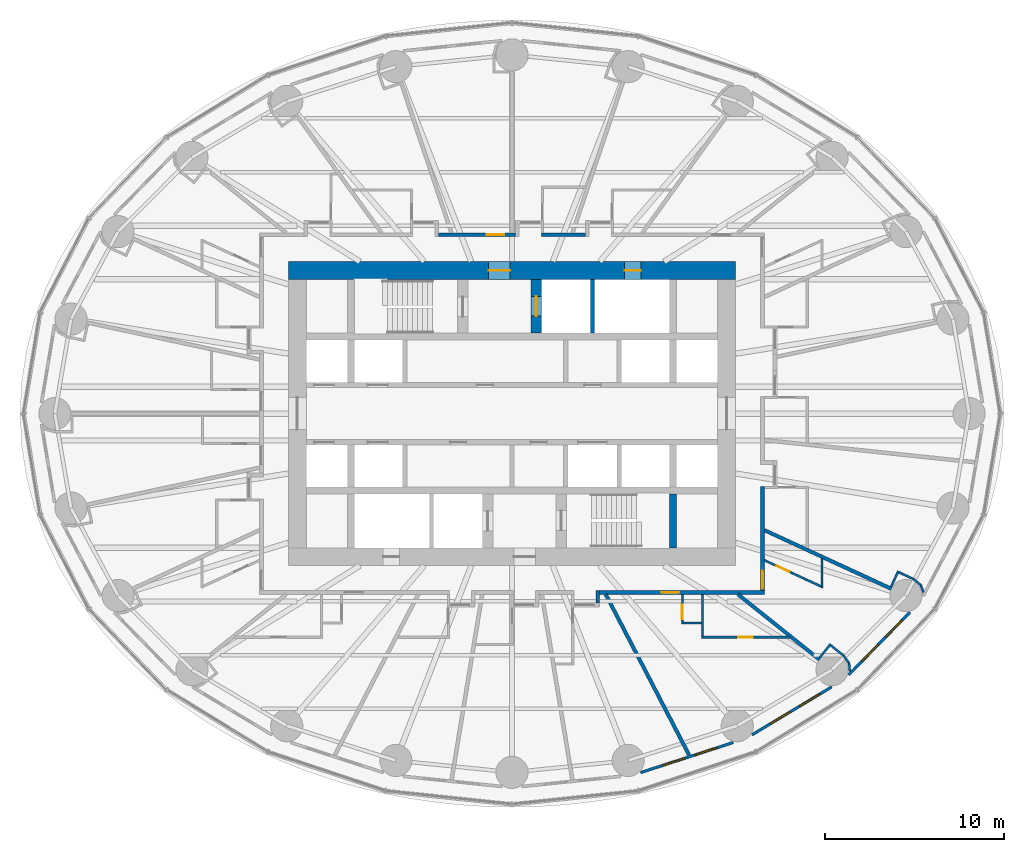
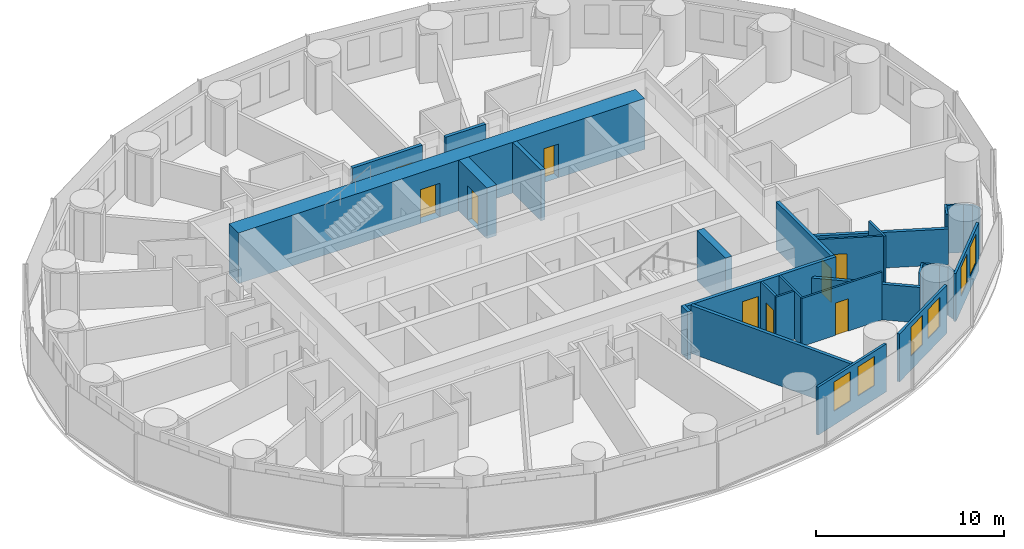
# One storey, part 9 of 14: 29 walls, 9 doors, 6 windows, 15 openings.
"""IFC4 building model written with IfcOpenShell, lengths in metres."""

from ifc_helpers import new_model, si_unit, direction, frame, frame_2d, origin, place, context, subcontext, project, spatial, rectangle, extrude, material, layer, layer_set, type_object, element, fill, save


model = new_model("IFC4")

# Units and contexts
model_context = context("Model", 3, precision=1e-05, world=origin(), true_north=direction((0.0, 1.0)))
body_context = subcontext(model_context, "Body", "Model", "MODEL_VIEW")
ifc_project = project(units=[si_unit("LENGTHUNIT", "METRE"), si_unit("AREAUNIT", "SQUARE_METRE"), si_unit("VOLUMEUNIT", "CUBIC_METRE"), si_unit("PLANEANGLEUNIT", "RADIAN"), si_unit("MASSUNIT", "GRAM", prefix="KILO")], contexts=[model_context])

# Site, building, storey
site_placement = place(None, origin())
site = spatial("IfcSite", under=ifc_project, at=site_placement, CompositionType="ELEMENT")
building_placement = place(site_placement, origin())
building = spatial("IfcBuilding", under=site, at=building_placement, Name="Hankou Lantern Tower", CompositionType="ELEMENT")
storey_placement = place(building_placement, frame((0.0, 0.0, 36.0)))
storey = spatial("IfcBuildingStorey", under=building, at=storey_placement, Name="L07", CompositionType="ELEMENT", Elevation=36.0)

# Wall, openings, doors
ifc_material_1 = material(Name="Concrete C60", Category="concrete")
ifc_layer_1 = layer(ifc_material_1, 1.0)
ifc_layer_set_1 = layer_set([ifc_layer_1], Name="Concrete C60")
wall_type_1 = type_object("IfcWallType", Name="CW1 CORE WALL 1000", PredefinedType="SHEAR", material=ifc_layer_set_1)
wall_1_placement = place(storey_placement, frame((-12.5, 8.0, 0.0), z_axis=(0.0, 0.0, 1.0), x_axis=(1.0, 0.0, 0.0)))
wall_1 = element("IfcWall", 1, at=wall_1_placement, inside=storey, type_object=wall_type_1, Name="Core wall north L07", PredefinedType="SHEAR", context=body_context, shape_type="SweptSolid", body=[
    extrude(rectangle(XDim=25.0, YDim=1.0, at=frame_2d((12.5, 0.0))), origin(), (0.0, 0.0, 1.0), 3.300048828125),
])
opening_1_placement = place(wall_1_placement, frame((11.199951171875, 0.0, 0.0)))
opening_1 = element("IfcOpeningElement", 2, at=opening_1_placement, cuts=wall_1, Name="Opening D5", PredefinedType="OPENING", context=body_context, shape_type="SweptSolid", body=[
    extrude(rectangle(XDim=1.199951171875, YDim=2.199951171875, at=frame_2d((0.60009765625, 1.10009765625))), frame((0.0, 0.510009765625, 0.0), z_axis=(0.0, -1.0, 0.0), x_axis=(1.0, 0.0, 0.0)), (0.0, 0.0, 1.0), 1.02001953125),
])
opening_2_placement = place(wall_1_placement, frame((18.800048828125, 0.0, 0.0)))
opening_2 = element("IfcOpeningElement", 3, at=opening_2_placement, cuts=wall_1, Name="Opening D7", PredefinedType="OPENING", context=body_context, shape_type="SweptSolid", body=[
    extrude(rectangle(XDim=0.89990234375, YDim=2.199951171875, at=frame_2d((0.449951171875, 1.10009765625))), frame((0.0, 0.510009765625, 0.0), z_axis=(0.0, -1.0, 0.0), x_axis=(1.0, 0.0, 0.0)), (0.0, 0.0, 1.0), 1.02001953125),
])
ifc_material_2 = material(Name="Steel door leaf", Category="steel")
door_type_1 = type_object("IfcDoorType", Name="D5 STAIR LOBBY DOOR 1200X2200", OperationType="SINGLE_SWING_LEFT", PredefinedType="DOOR", material=ifc_material_2)
door_1_placement = place(opening_1_placement, origin())
door_1 = element("IfcDoor", 4, at=door_1_placement, inside=storey, type_object=door_type_1, Name="Stair A lobby door", OperationType="SINGLE_SWING_LEFT", OverallHeight=2.199951171875, OverallWidth=1.199951171875, PredefinedType="DOOR", context=body_context, shape_type="SweptSolid", body=[
    extrude(rectangle(XDim=1.199951171875, YDim=2.199951171875, at=frame_2d((0.60009765625, 1.10009765625))), frame((0.0, 0.02490234375, 0.0), z_axis=(0.0, -1.0, 0.0), x_axis=(1.0, 0.0, 0.0)), (0.0, 0.0, 1.0), 0.050048828125),
])
fill(opening_1, door_1)
ifc_material_3 = material(Name="Steel door leaf", Category="steel")
door_type_2 = type_object("IfcDoorType", Name="D7 RISER DOOR 900X2200", OperationType="SINGLE_SWING_LEFT", PredefinedType="DOOR", material=ifc_material_3)
door_2_placement = place(opening_2_placement, origin())
door_2 = element("IfcDoor", 5, at=door_2_placement, inside=storey, type_object=door_type_2, Name="Riser N1 door", OperationType="SINGLE_SWING_RIGHT", OverallHeight=2.199951171875, OverallWidth=0.89990234375, PredefinedType="DOOR", context=body_context, shape_type="SweptSolid", body=[
    extrude(rectangle(XDim=0.89990234375, YDim=2.199951171875, at=frame_2d((0.449951171875, 1.10009765625))), frame((0.0, 0.02490234375, 0.0), z_axis=(0.0, -1.0, 0.0), x_axis=(1.0, 0.0, 0.0)), (0.0, 0.0, 1.0), 0.050048828125),
])
fill(opening_2, door_2)

# Wall
ifc_material_4 = material(Name="Concrete C60", Category="concrete")
ifc_layer_2 = layer(ifc_material_4, 0.39990234375)
ifc_layer_set_2 = layer_set([ifc_layer_2], Name="Concrete C60")
wall_type_2 = type_object("IfcWallType", Name="CW4 CORE CROSS WALL 400", PredefinedType="SHEAR", material=ifc_layer_set_2)
wall_2_placement = place(storey_placement, frame((9.0, -7.5, 0.0), z_axis=(0.0, 0.0, 1.0), x_axis=(0.0, 1.0, 0.0)))
element("IfcWall", 6, at=wall_2_placement, inside=storey, type_object=wall_type_2, Name="Core strip wall L07", PredefinedType="SHEAR", context=body_context, shape_type="SweptSolid", body=[
    extrude(rectangle(XDim=3.0, YDim=0.39990234375, at=frame_2d((1.5, 0.0))), origin(), (0.0, 0.0, 1.0), 3.300048828125),
])

# Wall, opening, door
ifc_material_5 = material(Name="Concrete C60", Category="concrete")
ifc_layer_3 = layer(ifc_material_5, 0.60009765625)
ifc_layer_set_3 = layer_set([ifc_layer_3], Name="Concrete C60")
wall_type_3 = type_object("IfcWallType", Name="CW6 STAIR AND SHAFT WALL 600", PredefinedType="SHEAR", material=ifc_layer_set_3)
wall_3_placement = place(storey_placement, frame((1.35009765625, 4.5, 0.0), z_axis=(0.0, 0.0, 1.0), x_axis=(0.0, 1.0, 0.0)))
wall_3 = element("IfcWall", 7, at=wall_3_placement, inside=storey, type_object=wall_type_3, Name="Firefighting lift shaft wall L07", PredefinedType="SHEAR", context=body_context, shape_type="SweptSolid", body=[
    extrude(rectangle(XDim=3.0, YDim=0.60009765625, at=frame_2d((1.5, 0.0))), origin(), (0.0, 0.0, 1.0), 3.300048828125),
])
opening_3_placement = place(wall_3_placement, frame((0.949951171875, 0.0, 0.0)))
opening_3 = element("IfcOpeningElement", 8, at=opening_3_placement, cuts=wall_3, Name="Opening LD2", PredefinedType="OPENING", context=body_context, shape_type="SweptSolid", body=[
    extrude(rectangle(XDim=1.10009765625, YDim=2.199951171875, at=frame_2d((0.550048828125, 1.10009765625))), frame((0.0, 0.31005859375, 0.0), z_axis=(0.0, -1.0, 0.0), x_axis=(1.0, 0.0, 0.0)), (0.0, 0.0, 1.0), 0.6201171875),
])
ifc_material_6 = material(Name="Steel door leaf", Category="steel")
door_type_3 = type_object("IfcDoorType", Name="LD2 FIREFIGHTING LIFT LANDING DOOR 1100X2200", OperationType="DOUBLE_DOOR_SLIDING", PredefinedType="DOOR", material=ifc_material_6)
door_3_placement = place(opening_3_placement, origin())
door_3 = element("IfcDoor", 9, at=door_3_placement, inside=storey, type_object=door_type_3, Name="Firefighting lift FL1 landing door", OperationType="DOUBLE_DOOR_SLIDING", OverallHeight=2.199951171875, OverallWidth=1.10009765625, PredefinedType="DOOR", context=body_context, shape_type="SweptSolid", body=[
    extrude(rectangle(XDim=1.10009765625, YDim=2.199951171875, at=frame_2d((0.550048828125, 1.10009765625))), frame((0.0, 0.02490234375, 0.0), z_axis=(0.0, -1.0, 0.0), x_axis=(1.0, 0.0, 0.0)), (0.0, 0.0, 1.0), 0.050048828125),
])
fill(opening_3, door_3)

# Wall, openings, windows
ifc_material_7 = material(Name="Aluminium spandrel panel on steel studs", Category="steel")
ifc_layer_4 = layer(ifc_material_7, 0.14990234375)
ifc_layer_set_4 = layer_set([ifc_layer_4], Name="Aluminium spandrel panel on steel studs")
wall_type_4 = type_object("IfcWallType", Name="EW1 INNER SKIN WALL 150", PredefinedType="ELEMENTEDWALL", material=ifc_layer_set_4)
wall_4_placement = place(storey_placement, frame((7.188232421875, -20.06494140625, 0.0), z_axis=(0.0, 0.0, 1.0), x_axis=(0.951138486029, 0.308764603532, 0.0)))
wall_4 = element("IfcWall", 10, at=wall_4_placement, inside=storey, type_object=wall_type_4, Name="Inner skin R20-R21 L07", PredefinedType="ELEMENTEDWALL", context=body_context, shape_type="SweptSolid", body=[
    extrude(rectangle(XDim=5.444091796875, YDim=0.14990234375, at=frame_2d((2.72216796875, 0.0))), origin(), (0.0, 0.0, 1.0), 3.1201171875),
])
opening_4_placement = place(wall_4_placement, frame((1.2841796875, 0.0, 0.89990234375)))
opening_4 = element("IfcOpeningElement", 11, at=opening_4_placement, cuts=wall_4, Name="Opening W9", PredefinedType="OPENING", context=body_context, shape_type="SweptSolid", body=[
    extrude(rectangle(XDim=1.300048828125, YDim=1.89990234375, at=frame_2d((0.64990234375, 0.949951171875))), frame((0.0, 0.0849609375, 0.0), z_axis=(0.0, -1.0, 0.0), x_axis=(1.0, 0.0, 0.0)), (0.0, 0.0, 1.0), 0.169921875),
])
opening_5_placement = place(wall_4_placement, frame((3.18408203125, 0.0, 0.89990234375)))
opening_5 = element("IfcOpeningElement", 12, at=opening_5_placement, cuts=wall_4, Name="Opening W9", PredefinedType="OPENING", context=body_context, shape_type="SweptSolid", body=[
    extrude(rectangle(XDim=1.300048828125, YDim=1.89990234375, at=frame_2d((0.64990234375, 0.949951171875))), frame((0.0, 0.0849609375, 0.0), z_axis=(0.0, -1.0, 0.0), x_axis=(1.0, 0.0, 0.0)), (0.0, 0.0, 1.0), 0.169921875),
])
ifc_material_8 = material(Name="Aluminium framed double glazed window", Category="aluminium")
window_type = type_object("IfcWindowType", Name="W9 GUEST ROOM WINDOW 1300X1900", PartitioningType="DOUBLE_PANEL_VERTICAL", PredefinedType="WINDOW", material=ifc_material_8)
window_1_placement = place(opening_4_placement, origin())
window_1 = element("IfcWindow", 13, at=window_1_placement, inside=storey, type_object=window_type, Name="Window R20.1 L07", OverallHeight=1.89990234375, OverallWidth=1.300048828125, PartitioningType="SINGLE_PANEL", PredefinedType="WINDOW", context=body_context, shape_type="SweptSolid", body=[
    extrude(rectangle(XDim=1.300048828125, YDim=1.89990234375, at=frame_2d((0.64990234375, 0.949951171875))), frame((0.0, 0.030029296875, 0.0), z_axis=(0.0, -1.0, 0.0), x_axis=(1.0, 0.0, 0.0)), (0.0, 0.0, 1.0), 0.06005859375),
])
fill(opening_4, window_1)
window_2_placement = place(opening_5_placement, origin())
window_2 = element("IfcWindow", 14, at=window_2_placement, inside=storey, type_object=window_type, Name="Window R20.2 L07", OverallHeight=1.89990234375, OverallWidth=1.300048828125, PartitioningType="SINGLE_PANEL", PredefinedType="WINDOW", context=body_context, shape_type="SweptSolid", body=[
    extrude(rectangle(XDim=1.300048828125, YDim=1.89990234375, at=frame_2d((0.64990234375, 0.949951171875))), frame((0.0, 0.030029296875, 0.0), z_axis=(0.0, -1.0, 0.0), x_axis=(1.0, 0.0, 0.0)), (0.0, 0.0, 1.0), 0.06005859375),
])
fill(opening_5, window_2)

wall_5_placement = place(storey_placement, frame((13.412109375, -17.957275390625, 0.0), z_axis=(0.0, 0.0, 1.0), x_axis=(0.856958191554, 0.515385931054, 0.0)))
wall_5 = element("IfcWall", 15, at=wall_5_placement, inside=storey, type_object=wall_type_4, Name="Inner skin R21-R22 L07", PredefinedType="ELEMENTEDWALL", context=body_context, shape_type="SweptSolid", body=[
    extrude(rectangle(XDim=5.201171875, YDim=0.14990234375, at=frame_2d((2.6005859375, 0.0))), origin(), (0.0, 0.0, 1.0), 3.1201171875),
])
opening_6_placement = place(wall_5_placement, frame((1.22509765625, 0.0, 0.89990234375)))
opening_6 = element("IfcOpeningElement", 16, at=opening_6_placement, cuts=wall_5, Name="Opening W9", PredefinedType="OPENING", context=body_context, shape_type="SweptSolid", body=[
    extrude(rectangle(XDim=1.300048828125, YDim=1.89990234375, at=frame_2d((0.64990234375, 0.949951171875))), frame((0.0, 0.0849609375, 0.0), z_axis=(0.0, -1.0, 0.0), x_axis=(1.0, 0.0, 0.0)), (0.0, 0.0, 1.0), 0.169921875),
])
opening_7_placement = place(wall_5_placement, frame((3.125, 0.0, 0.89990234375)))
opening_7 = element("IfcOpeningElement", 17, at=opening_7_placement, cuts=wall_5, Name="Opening W9", PredefinedType="OPENING", context=body_context, shape_type="SweptSolid", body=[
    extrude(rectangle(XDim=1.300048828125, YDim=1.89990234375, at=frame_2d((0.64990234375, 0.949951171875))), frame((0.0, 0.0849609375, 0.0), z_axis=(0.0, -1.0, 0.0), x_axis=(1.0, 0.0, 0.0)), (0.0, 0.0, 1.0), 0.169921875),
])
window_3_placement = place(opening_6_placement, origin())
window_3 = element("IfcWindow", 18, at=window_3_placement, inside=storey, type_object=window_type, Name="Window R21.1 L07", OverallHeight=1.89990234375, OverallWidth=1.300048828125, PartitioningType="SINGLE_PANEL", PredefinedType="WINDOW", context=body_context, shape_type="SweptSolid", body=[
    extrude(rectangle(XDim=1.300048828125, YDim=1.89990234375, at=frame_2d((0.64990234375, 0.949951171875))), frame((0.0, 0.030029296875, 0.0), z_axis=(0.0, -1.0, 0.0), x_axis=(1.0, 0.0, 0.0)), (0.0, 0.0, 1.0), 0.06005859375),
])
fill(opening_6, window_3)
window_4_placement = place(opening_7_placement, origin())
window_4 = element("IfcWindow", 19, at=window_4_placement, inside=storey, type_object=window_type, Name="Window R21.2 L07", OverallHeight=1.89990234375, OverallWidth=1.300048828125, PartitioningType="SINGLE_PANEL", PredefinedType="WINDOW", context=body_context, shape_type="SweptSolid", body=[
    extrude(rectangle(XDim=1.300048828125, YDim=1.89990234375, at=frame_2d((0.64990234375, 0.949951171875))), frame((0.0, 0.030029296875, 0.0), z_axis=(0.0, -1.0, 0.0), x_axis=(1.0, 0.0, 0.0)), (0.0, 0.0, 1.0), 0.06005859375),
])
fill(opening_7, window_4)

wall_6_placement = place(storey_placement, frame((18.8134765625, -14.606689453125, 0.0), z_axis=(0.0, 0.0, 1.0), x_axis=(0.699612594083, 0.714522370679, 0.0)))
wall_6 = element("IfcWall", 20, at=wall_6_placement, inside=storey, type_object=wall_type_4, Name="Inner skin R22-R23 L07", PredefinedType="ELEMENTEDWALL", context=body_context, shape_type="SweptSolid", body=[
    extrude(rectangle(XDim=4.89599609375, YDim=0.14990234375, at=frame_2d((2.447998046875, 0.0))), origin(), (0.0, 0.0, 1.0), 3.1201171875),
])
opening_8_placement = place(wall_6_placement, frame((1.076904296875, 0.0, 0.89990234375)))
opening_8 = element("IfcOpeningElement", 21, at=opening_8_placement, cuts=wall_6, Name="Opening W9", PredefinedType="OPENING", context=body_context, shape_type="SweptSolid", body=[
    extrude(rectangle(XDim=1.300048828125, YDim=1.89990234375, at=frame_2d((0.64990234375, 0.949951171875))), frame((0.0, 0.0849609375, 0.0), z_axis=(0.0, -1.0, 0.0), x_axis=(1.0, 0.0, 0.0)), (0.0, 0.0, 1.0), 0.169921875),
])
opening_9_placement = place(wall_6_placement, frame((2.976806640625, 0.0, 0.89990234375)))
opening_9 = element("IfcOpeningElement", 22, at=opening_9_placement, cuts=wall_6, Name="Opening W9", PredefinedType="OPENING", context=body_context, shape_type="SweptSolid", body=[
    extrude(rectangle(XDim=1.300048828125, YDim=1.89990234375, at=frame_2d((0.64990234375, 0.949951171875))), frame((0.0, 0.0849609375, 0.0), z_axis=(0.0, -1.0, 0.0), x_axis=(1.0, 0.0, 0.0)), (0.0, 0.0, 1.0), 0.169921875),
])
window_5_placement = place(opening_8_placement, origin())
window_5 = element("IfcWindow", 23, at=window_5_placement, inside=storey, type_object=window_type, Name="Window R22.1 L07", OverallHeight=1.89990234375, OverallWidth=1.300048828125, PartitioningType="SINGLE_PANEL", PredefinedType="WINDOW", context=body_context, shape_type="SweptSolid", body=[
    extrude(rectangle(XDim=1.300048828125, YDim=1.89990234375, at=frame_2d((0.64990234375, 0.949951171875))), frame((0.0, 0.030029296875, 0.0), z_axis=(0.0, -1.0, 0.0), x_axis=(1.0, 0.0, 0.0)), (0.0, 0.0, 1.0), 0.06005859375),
])
fill(opening_8, window_5)
window_6_placement = place(opening_9_placement, origin())
window_6 = element("IfcWindow", 24, at=window_6_placement, inside=storey, type_object=window_type, Name="Window R22.2 L07", OverallHeight=1.89990234375, OverallWidth=1.300048828125, PartitioningType="SINGLE_PANEL", PredefinedType="WINDOW", context=body_context, shape_type="SweptSolid", body=[
    extrude(rectangle(XDim=1.300048828125, YDim=1.89990234375, at=frame_2d((0.64990234375, 0.949951171875))), frame((0.0, 0.030029296875, 0.0), z_axis=(0.0, -1.0, 0.0), x_axis=(1.0, 0.0, 0.0)), (0.0, 0.0, 1.0), 0.06005859375),
])
fill(opening_9, window_6)

# Walls
ifc_material_9 = material(Name="Masonry lightweight concrete block", Category="masonry")
ifc_layer_5 = layer(ifc_material_9, 0.199951171875)
ifc_layer_set_5 = layer_set([ifc_layer_5], Name="Masonry lightweight concrete block")
wall_type_5 = type_object("IfcWallType", Name="IW1 GUEST ROOM PARTY WALL 200", PredefinedType="PARTITIONING", material=ifc_layer_set_5)
wall_7_placement = place(storey_placement, frame((5.238525390625, -10.10009765625, 0.0), z_axis=(0.0, 0.0, 1.0), x_axis=(0.460422783389, -0.887699758103, 0.0)))
element("IfcWall", 25, at=wall_7_placement, inside=storey, type_object=wall_type_5, Name="Party wall R20-R21", PredefinedType="PARTITIONING", context=body_context, shape_type="SweptSolid", body=[
    extrude(rectangle(XDim=10.120361328125, YDim=0.199951171875, at=frame_2d((5.06005859375, 0.0))), origin(), (0.0, 0.0, 1.0), 3.1201171875),
])
wall_8_placement = place(storey_placement, frame((12.625, -10.10009765625, 0.0), z_axis=(0.0, 0.0, 1.0), x_axis=(0.780872884676, -0.624689953479, 0.0)))
element("IfcWall", 26, at=wall_8_placement, inside=storey, type_object=wall_type_5, Name="Party wall R22", PredefinedType="PARTITIONING", context=body_context, shape_type="SweptSolid", body=[
    extrude(rectangle(XDim=5.8447265625, YDim=0.199951171875, at=frame_2d((2.92236328125, 0.0))), origin(), (0.0, 0.0, 1.0), 2.320068359375),
])
wall_9_placement = place(storey_placement, frame((14.10009765625, -6.512451171875, 0.0), z_axis=(0.0, 0.0, 1.0), x_axis=(0.907842433118, -0.41931147925, 0.0)))
element("IfcWall", 27, at=wall_9_placement, inside=storey, type_object=wall_type_5, Name="Party wall R23", PredefinedType="PARTITIONING", context=body_context, shape_type="SweptSolid", body=[
    extrude(rectangle(XDim=7.822998046875, YDim=0.199951171875, at=frame_2d((3.91162109375, 0.0))), origin(), (0.0, 0.0, 1.0), 2.320068359375),
])
ifc_material_10 = material(Name="Masonry lightweight concrete block", Category="masonry")
ifc_layer_6 = layer(ifc_material_10, 0.199951171875)
ifc_layer_set_6 = layer_set([ifc_layer_6], Name="Masonry lightweight concrete block")
wall_type_6 = type_object("IfcWallType", Name="IW2 CORRIDOR WALL 200", PredefinedType="PARTITIONING", material=ifc_layer_set_6)
wall_10_placement = place(storey_placement, frame((4.794921875, -9.89990234375, 0.0), z_axis=(0.0, 0.0, 1.0), x_axis=(0.0, -1.0, 0.0)))
element("IfcWall", 28, at=wall_10_placement, inside=storey, type_object=wall_type_6, Name="Corridor recess wall 0721 side", PredefinedType="PARTITIONING", context=body_context, shape_type="SweptSolid", body=[
    extrude(rectangle(XDim=0.7001953125, YDim=0.199951171875, at=frame_2d((0.35009765625, 0.0))), origin(), (0.0, 0.0, 1.0), 3.1201171875),
])

# Wall, opening, door
wall_11_placement = place(storey_placement, frame((14.0, -9.89990234375, 0.0), z_axis=(0.0, 0.0, 1.0), x_axis=(0.0, 1.0, 0.0)))
wall_11 = element("IfcWall", 29, at=wall_11_placement, inside=storey, type_object=wall_type_6, Name="Corridor wall east", PredefinedType="PARTITIONING", context=body_context, shape_type="SweptSolid", body=[
    extrude(rectangle(XDim=5.827392578125, YDim=0.199951171875, at=frame_2d((2.91357421875, 0.0))), origin(), (0.0, 0.0, 1.0), 3.1201171875),
])
opening_10_placement = place(wall_11_placement, frame((0.1025390625, 0.0, 0.0)))
opening_10 = element("IfcOpeningElement", 30, at=opening_10_placement, cuts=wall_11, Name="Opening D1", PredefinedType="OPENING", context=body_context, shape_type="SweptSolid", body=[
    extrude(rectangle(XDim=1.0, YDim=2.199951171875, at=frame_2d((0.5, 1.10009765625))), frame((0.0, 0.10986328125, 0.0), z_axis=(0.0, -1.0, 0.0), x_axis=(1.0, 0.0, 0.0)), (0.0, 0.0, 1.0), 0.219970703125),
])
ifc_material_11 = material(Name="Steel door leaf", Category="steel")
door_type_4 = type_object("IfcDoorType", Name="D1 GUEST ROOM DOOR 1000X2200", OperationType="SINGLE_SWING_LEFT", PredefinedType="DOOR", material=ifc_material_11)
door_4_placement = place(opening_10_placement, origin())
door_4 = element("IfcDoor", 31, at=door_4_placement, inside=storey, type_object=door_type_4, Name="Guest room door 0701", OperationType="SINGLE_SWING_LEFT", OverallHeight=2.199951171875, OverallWidth=1.0, PredefinedType="DOOR", context=body_context, shape_type="SweptSolid", body=[
    extrude(rectangle(XDim=1.0, YDim=2.199951171875, at=frame_2d((0.5, 1.10009765625))), frame((0.0, 0.02490234375, 0.0), z_axis=(0.0, -1.0, 0.0), x_axis=(1.0, 0.0, 0.0)), (0.0, 0.0, 1.0), 0.050048828125),
])
fill(opening_10, door_4)

wall_12_placement = place(storey_placement, frame((-4.109130859375, 10.0, 0.0), z_axis=(0.0, 0.0, 1.0), x_axis=(1.0, 0.0, 0.0)))
wall_12 = element("IfcWall", 32, at=wall_12_placement, inside=storey, type_object=wall_type_6, Name="Corridor wall north", PredefinedType="PARTITIONING", context=body_context, shape_type="SweptSolid", body=[
    extrude(rectangle(XDim=4.31201171875, YDim=0.199951171875, at=frame_2d((2.156005859375, 0.0))), origin(), (0.0, 0.0, 1.0), 3.1201171875),
])
opening_11_placement = place(wall_12_placement, frame((2.68896484375, 0.0, 0.0)))
opening_11 = element("IfcOpeningElement", 33, at=opening_11_placement, cuts=wall_12, Name="Opening D28", PredefinedType="OPENING", context=body_context, shape_type="SweptSolid", body=[
    extrude(rectangle(XDim=1.0, YDim=2.199951171875, at=frame_2d((0.5, 1.10009765625))), frame((0.0, 0.10986328125, 0.0), z_axis=(0.0, -1.0, 0.0), x_axis=(1.0, 0.0, 0.0)), (0.0, 0.0, 1.0), 0.219970703125),
])
ifc_material_12 = material(Name="Steel door leaf", Category="steel")
door_type_5 = type_object("IfcDoorType", Name="D28 SERVICE DOOR 1000X2200", OperationType="SINGLE_SWING_LEFT", PredefinedType="DOOR", material=ifc_material_12)
door_5_placement = place(opening_11_placement, origin())
door_5 = element("IfcDoor", 34, at=door_5_placement, inside=storey, type_object=door_type_5, Name="Service door 0709", OperationType="SINGLE_SWING_RIGHT", OverallHeight=2.199951171875, OverallWidth=1.0, PredefinedType="DOOR", context=body_context, shape_type="SweptSolid", body=[
    extrude(rectangle(XDim=1.0, YDim=2.199951171875, at=frame_2d((0.5, 1.10009765625))), frame((0.0, 0.02490234375, 0.0), z_axis=(0.0, -1.0, 0.0), x_axis=(1.0, 0.0, 0.0)), (0.0, 0.0, 1.0), 0.050048828125),
])
fill(opening_11, door_5)

# Wall
wall_13_placement = place(storey_placement, frame((1.642822265625, 10.0, 0.0), z_axis=(0.0, 0.0, 1.0), x_axis=(1.0, 0.0, 0.0)))
element("IfcWall", 35, at=wall_13_placement, inside=storey, type_object=wall_type_6, Name="Corridor wall north", PredefinedType="PARTITIONING", context=body_context, shape_type="SweptSolid", body=[
    extrude(rectangle(XDim=2.46630859375, YDim=0.199951171875, at=frame_2d((1.233154296875, 0.0))), origin(), (0.0, 0.0, 1.0), 3.1201171875),
])

# Wall, opening, door
wall_14_placement = place(storey_placement, frame((14.10009765625, -10.0, 0.0), z_axis=(0.0, 0.0, 1.0), x_axis=(-1.0, 0.0, 0.0)))
wall_14 = element("IfcWall", 36, at=wall_14_placement, inside=storey, type_object=wall_type_6, Name="Corridor wall south", PredefinedType="PARTITIONING", context=body_context, shape_type="SweptSolid", body=[
    extrude(rectangle(XDim=9.205078125, YDim=0.199951171875, at=frame_2d((4.6025390625, 0.0))), origin(), (0.0, 0.0, 1.0), 3.1201171875),
])
opening_12_placement = place(wall_14_placement, frame((4.7548828125, 0.0, 0.0)))
opening_12 = element("IfcOpeningElement", 37, at=opening_12_placement, cuts=wall_14, Name="Opening D1", PredefinedType="OPENING", context=body_context, shape_type="SweptSolid", body=[
    extrude(rectangle(XDim=1.0, YDim=2.199951171875, at=frame_2d((0.5, 1.10009765625))), frame((0.0, 0.10986328125, 0.0), z_axis=(0.0, -1.0, 0.0), x_axis=(1.0, 0.0, 0.0)), (0.0, 0.0, 1.0), 0.219970703125),
])
door_6_placement = place(opening_12_placement, origin())
door_6 = element("IfcDoor", 38, at=door_6_placement, inside=storey, type_object=door_type_4, Name="Guest room door 0722", OperationType="SINGLE_SWING_LEFT", OverallHeight=2.199951171875, OverallWidth=1.0, PredefinedType="DOOR", context=body_context, shape_type="SweptSolid", body=[
    extrude(rectangle(XDim=1.0, YDim=2.199951171875, at=frame_2d((0.5, 1.10009765625))), frame((0.0, 0.02490234375, 0.0), z_axis=(0.0, -1.0, 0.0), x_axis=(1.0, 0.0, 0.0)), (0.0, 0.0, 1.0), 0.050048828125),
])
fill(opening_12, door_6)

# Wall
ifc_material_13 = material(Name="Masonry lightweight concrete block", Category="masonry")
ifc_layer_7 = layer(ifc_material_13, 0.1201171875)
ifc_layer_set_7 = layer_set([ifc_layer_7], Name="Masonry lightweight concrete block")
wall_type_7 = type_object("IfcWallType", Name="IW3 BATHROOM WALL 120", PredefinedType="PARTITIONING", material=ifc_layer_set_7)
wall_15_placement = place(storey_placement, frame((17.32275390625, -8.10107421875, 0.0), z_axis=(0.0, 0.0, 1.0), x_axis=(0.0, -1.0, 0.0)))
element("IfcWall", 39, at=wall_15_placement, inside=storey, type_object=wall_type_7, Name="Box wall 0701 1", PredefinedType="PARTITIONING", context=body_context, shape_type="SweptSolid", body=[
    extrude(rectangle(XDim=1.639892578125, YDim=0.1201171875, at=frame_2d((0.81982421875, 0.0))), origin(), (0.0, 0.0, 1.0), 3.1201171875),
])

# Wall, opening, door
wall_16_placement = place(storey_placement, frame((14.10009765625, -8.192626953125, 0.0), z_axis=(0.0, 0.0, 1.0), x_axis=(0.907836493557, -0.419324338628, 0.0)))
wall_16 = element("IfcWall", 40, at=wall_16_placement, inside=storey, type_object=wall_type_7, Name="Box wall 0701 1", PredefinedType="PARTITIONING", context=body_context, shape_type="SweptSolid", body=[
    extrude(rectangle(XDim=3.48974609375, YDim=0.1201171875, at=frame_2d((1.744873046875, 0.0))), origin(), (0.0, 0.0, 1.0), 3.1201171875),
])
opening_13_placement = place(wall_16_placement, frame((0.75, 0.0, 0.0)))
opening_13 = element("IfcOpeningElement", 41, at=opening_13_placement, cuts=wall_16, Name="Opening D3", PredefinedType="OPENING", context=body_context, shape_type="SweptSolid", body=[
    extrude(rectangle(XDim=0.800048828125, YDim=2.10009765625, at=frame_2d((0.39990234375, 1.050048828125))), frame((0.0, 0.070068359375, 0.0), z_axis=(0.0, -1.0, 0.0), x_axis=(1.0, 0.0, 0.0)), (0.0, 0.0, 1.0), 0.14013671875),
])
ifc_material_14 = material(Name="Timber door leaf", Category="wood")
door_type_6 = type_object("IfcDoorType", Name="D3 BATHROOM DOOR 800X2100", OperationType="SINGLE_SWING_LEFT", PredefinedType="DOOR", material=ifc_material_14)
door_7_placement = place(opening_13_placement, origin())
door_7 = element("IfcDoor", 42, at=door_7_placement, inside=storey, type_object=door_type_6, Name="En-suite bathroom 0701 door", OperationType="SINGLE_SWING_LEFT", OverallHeight=2.10009765625, OverallWidth=0.800048828125, PredefinedType="DOOR", context=body_context, shape_type="SweptSolid", body=[
    extrude(rectangle(XDim=0.800048828125, YDim=2.10009765625, at=frame_2d((0.39990234375, 1.050048828125))), frame((0.0, 0.02490234375, 0.0), z_axis=(0.0, -1.0, 0.0), x_axis=(1.0, 0.0, 0.0)), (0.0, 0.0, 1.0), 0.050048828125),
])
fill(opening_13, door_7)

wall_17_placement = place(storey_placement, frame((15.52490234375, -12.5, 0.0), z_axis=(0.0, 0.0, 1.0), x_axis=(-1.0, 0.0, 0.0)))
wall_17 = element("IfcWall", 43, at=wall_17_placement, inside=storey, type_object=wall_type_7, Name="Box wall 0722 1", PredefinedType="PARTITIONING", context=body_context, shape_type="SweptSolid", body=[
    extrude(rectangle(XDim=4.93994140625, YDim=0.1201171875, at=frame_2d((2.469970703125, 0.0))), origin(), (0.0, 0.0, 1.0), 3.1201171875),
])
opening_14_placement = place(wall_17_placement, frame((2.070068359375, 0.0, 0.0)))
opening_14 = element("IfcOpeningElement", 44, at=opening_14_placement, cuts=wall_17, Name="Opening D3", PredefinedType="OPENING", context=body_context, shape_type="SweptSolid", body=[
    extrude(rectangle(XDim=0.800048828125, YDim=2.10009765625, at=frame_2d((0.39990234375, 1.050048828125))), frame((0.0, 0.070068359375, 0.0), z_axis=(0.0, -1.0, 0.0), x_axis=(1.0, 0.0, 0.0)), (0.0, 0.0, 1.0), 0.14013671875),
])
door_8_placement = place(opening_14_placement, origin())
door_8 = element("IfcDoor", 45, at=door_8_placement, inside=storey, type_object=door_type_6, Name="En-suite bathroom 0722 door", OperationType="SINGLE_SWING_RIGHT", OverallHeight=2.10009765625, OverallWidth=0.800048828125, PredefinedType="DOOR", context=body_context, shape_type="SweptSolid", body=[
    extrude(rectangle(XDim=0.800048828125, YDim=2.10009765625, at=frame_2d((0.39990234375, 1.050048828125))), frame((0.0, 0.02490234375, 0.0), z_axis=(0.0, -1.0, 0.0), x_axis=(1.0, 0.0, 0.0)), (0.0, 0.0, 1.0), 0.050048828125),
])
fill(opening_14, door_8)

# Walls
wall_18_placement = place(storey_placement, frame((10.64501953125, -10.10009765625, 0.0), z_axis=(0.0, 0.0, 1.0), x_axis=(0.0, -1.0, 0.0)))
element("IfcWall", 46, at=wall_18_placement, inside=storey, type_object=wall_type_7, Name="Box wall 0722 1", PredefinedType="PARTITIONING", context=body_context, shape_type="SweptSolid", body=[
    extrude(rectangle(XDim=2.33984375, YDim=0.1201171875, at=frame_2d((1.169921875, 0.0))), origin(), (0.0, 0.0, 1.0), 3.1201171875),
])
wall_19_placement = place(storey_placement, frame((10.5849609375, -11.699951171875, 0.0), z_axis=(0.0, 0.0, 1.0), x_axis=(-1.0, 0.0, 0.0)))
element("IfcWall", 47, at=wall_19_placement, inside=storey, type_object=wall_type_7, Name="Box wall 0722 2", PredefinedType="PARTITIONING", context=body_context, shape_type="SweptSolid", body=[
    extrude(rectangle(XDim=1.119873046875, YDim=0.1201171875, at=frame_2d((0.56005859375, 0.0))), origin(), (0.0, 0.0, 1.0), 3.1201171875),
])

# Wall, opening, door
wall_20_placement = place(storey_placement, frame((9.52490234375, -10.10009765625, 0.0), z_axis=(0.0, 0.0, 1.0), x_axis=(0.0, -1.0, 0.0)))
wall_20 = element("IfcWall", 48, at=wall_20_placement, inside=storey, type_object=wall_type_7, Name="Box wall 0722 2", PredefinedType="PARTITIONING", context=body_context, shape_type="SweptSolid", body=[
    extrude(rectangle(XDim=1.539794921875, YDim=0.1201171875, at=frame_2d((0.77001953125, 0.0))), origin(), (0.0, 0.0, 1.0), 3.1201171875),
])
opening_15_placement = place(wall_20_placement, frame((0.590087890625, 0.0, 0.0)))
opening_15 = element("IfcOpeningElement", 49, at=opening_15_placement, cuts=wall_20, Name="Opening D3", PredefinedType="OPENING", context=body_context, shape_type="SweptSolid", body=[
    extrude(rectangle(XDim=0.800048828125, YDim=2.10009765625, at=frame_2d((0.39990234375, 1.050048828125))), frame((0.0, 0.070068359375, 0.0), z_axis=(0.0, -1.0, 0.0), x_axis=(1.0, 0.0, 0.0)), (0.0, 0.0, 1.0), 0.14013671875),
])
door_9_placement = place(opening_15_placement, origin())
door_9 = element("IfcDoor", 50, at=door_9_placement, inside=storey, type_object=door_type_6, Name="En-suite WC 0722 door", OperationType="SINGLE_SWING_RIGHT", OverallHeight=2.10009765625, OverallWidth=0.800048828125, PredefinedType="DOOR", context=body_context, shape_type="SweptSolid", body=[
    extrude(rectangle(XDim=0.800048828125, YDim=2.10009765625, at=frame_2d((0.39990234375, 1.050048828125))), frame((0.0, 0.02490234375, 0.0), z_axis=(0.0, -1.0, 0.0), x_axis=(1.0, 0.0, 0.0)), (0.0, 0.0, 1.0), 0.050048828125),
])
fill(opening_15, door_9)

# Walls
ifc_material_15 = material(Name="Masonry lightweight concrete block", Category="masonry")
ifc_layer_8 = layer(ifc_material_15, 0.1201171875)
ifc_layer_set_8 = layer_set([ifc_layer_8], Name="Masonry lightweight concrete block")
wall_type_8 = type_object("IfcWallType", Name="IW4 PARTITION 120", PredefinedType="PARTITIONING", material=ifc_layer_set_8)
wall_21_placement = place(storey_placement, frame((17.20458984375, -13.635498046875, 0.0), z_axis=(0.0, 0.0, 1.0), x_axis=(0.624756144097, 0.780819928289, 0.0)))
element("IfcWall", 51, at=wall_21_placement, inside=storey, type_object=wall_type_8, Name="Column casing R22 return", PredefinedType="PARTITIONING", context=body_context, shape_type="SweptSolid", body=[
    extrude(rectangle(XDim=0.974609375, YDim=0.1201171875, at=frame_2d((0.4873046875, 0.0))), origin(), (0.0, 0.0, 1.0), 3.1201171875),
])
wall_22_placement = place(storey_placement, frame((17.82275390625, -12.958984375, 0.0), z_axis=(0.0, 0.0, 1.0), x_axis=(0.780895271023, -0.624661969144, 0.0)))
element("IfcWall", 52, at=wall_22_placement, inside=storey, type_object=wall_type_8, Name="Column casing R22", PredefinedType="PARTITIONING", context=body_context, shape_type="SweptSolid", body=[
    extrude(rectangle(XDim=0.900146484375, YDim=0.1201171875, at=frame_2d((0.4501953125, 0.0))), origin(), (0.0, 0.0, 1.0), 3.1201171875),
])
wall_23_placement = place(storey_placement, frame((18.525634765625, -13.521240234375, 0.0), z_axis=(0.0, 0.0, 1.0), x_axis=(0.592532503205, -0.805546542818, 0.0)))
element("IfcWall", 53, at=wall_23_placement, inside=storey, type_object=wall_type_8, Name="Column casing R22", PredefinedType="PARTITIONING", context=body_context, shape_type="SweptSolid", body=[
    extrude(rectangle(XDim=0.52490234375, YDim=0.1201171875, at=frame_2d((0.262451171875, 0.0))), origin(), (0.0, 0.0, 1.0), 3.1201171875),
])
wall_24_placement = place(storey_placement, frame((18.836669921875, -13.944091796875, 0.0), z_axis=(0.0, 0.0, 1.0), x_axis=(0.110543348478, -0.993871303594, 0.0)))
element("IfcWall", 54, at=wall_24_placement, inside=storey, type_object=wall_type_8, Name="Column casing R22", PredefinedType="PARTITIONING", context=body_context, shape_type="SweptSolid", body=[
    extrude(rectangle(XDim=0.479248046875, YDim=0.1201171875, at=frame_2d((0.23974609375, 0.0))), origin(), (0.0, 0.0, 1.0), 3.1201171875),
])
wall_25_placement = place(storey_placement, frame((21.189453125, -9.6767578125, 0.0), z_axis=(0.0, 0.0, 1.0), x_axis=(0.419344098106, 0.907827366509, 0.0)))
element("IfcWall", 55, at=wall_25_placement, inside=storey, type_object=wall_type_8, Name="Column casing R23 return", PredefinedType="PARTITIONING", context=body_context, shape_type="SweptSolid", body=[
    extrude(rectangle(XDim=0.974609375, YDim=0.1201171875, at=frame_2d((0.4873046875, 0.0))), origin(), (0.0, 0.0, 1.0), 3.1201171875),
])
wall_26_placement = place(storey_placement, frame((21.62744140625, -8.871826171875, 0.0), z_axis=(0.0, 0.0, 1.0), x_axis=(0.907935564339, -0.419109783957, 0.0)))
element("IfcWall", 56, at=wall_26_placement, inside=storey, type_object=wall_type_8, Name="Column casing R23", PredefinedType="PARTITIONING", context=body_context, shape_type="SweptSolid", body=[
    extrude(rectangle(XDim=0.89990234375, YDim=0.1201171875, at=frame_2d((0.449951171875, 0.0))), origin(), (0.0, 0.0, 1.0), 3.1201171875),
])
wall_27_placement = place(storey_placement, frame((22.444580078125, -9.2490234375, 0.0), z_axis=(0.0, 0.0, 1.0), x_axis=(0.768335565584, -0.640047231584, 0.0)))
element("IfcWall", 57, at=wall_27_placement, inside=storey, type_object=wall_type_8, Name="Column casing R23", PredefinedType="PARTITIONING", context=body_context, shape_type="SweptSolid", body=[
    extrude(rectangle(XDim=0.525146484375, YDim=0.1201171875, at=frame_2d((0.2626953125, 0.0))), origin(), (0.0, 0.0, 1.0), 3.1201171875),
])
wall_28_placement = place(storey_placement, frame((22.84814453125, -9.585205078125, 0.0), z_axis=(0.0, 0.0, 1.0), x_axis=(0.345267312673, -0.938504386138, 0.0)))
element("IfcWall", 58, at=wall_28_placement, inside=storey, type_object=wall_type_8, Name="Column casing R23", PredefinedType="PARTITIONING", context=body_context, shape_type="SweptSolid", body=[
    extrude(rectangle(XDim=0.439208984375, YDim=0.1201171875, at=frame_2d((0.2197265625, 0.0))), origin(), (0.0, 0.0, 1.0), 3.1201171875),
])
ifc_material_16 = material(Name="Masonry autoclaved aerated concrete block", Category="masonry")
ifc_layer_9 = layer(ifc_material_16, 0.25)
ifc_layer_set_9 = layer_set([ifc_layer_9], Name="Masonry autoclaved aerated concrete block")
wall_type_9 = type_object("IfcWallType", Name="SW1 SHAFT BLOCK WALL 250", PredefinedType="PARTITIONING", material=ifc_layer_set_9)
wall_29_placement = place(storey_placement, frame((4.5, 4.5, 0.0), z_axis=(0.0, 0.0, 1.0), x_axis=(0.0, 1.0, 0.0)))
element("IfcWall", 59, at=wall_29_placement, inside=storey, type_object=wall_type_9, Name="Riser wall L07", PredefinedType="PARTITIONING", context=body_context, shape_type="SweptSolid", body=[
    extrude(rectangle(XDim=3.0, YDim=0.25, at=frame_2d((1.5, 0.0))), origin(), (0.0, 0.0, 1.0), 3.300048828125),
])

save(model, "model.ifc")
